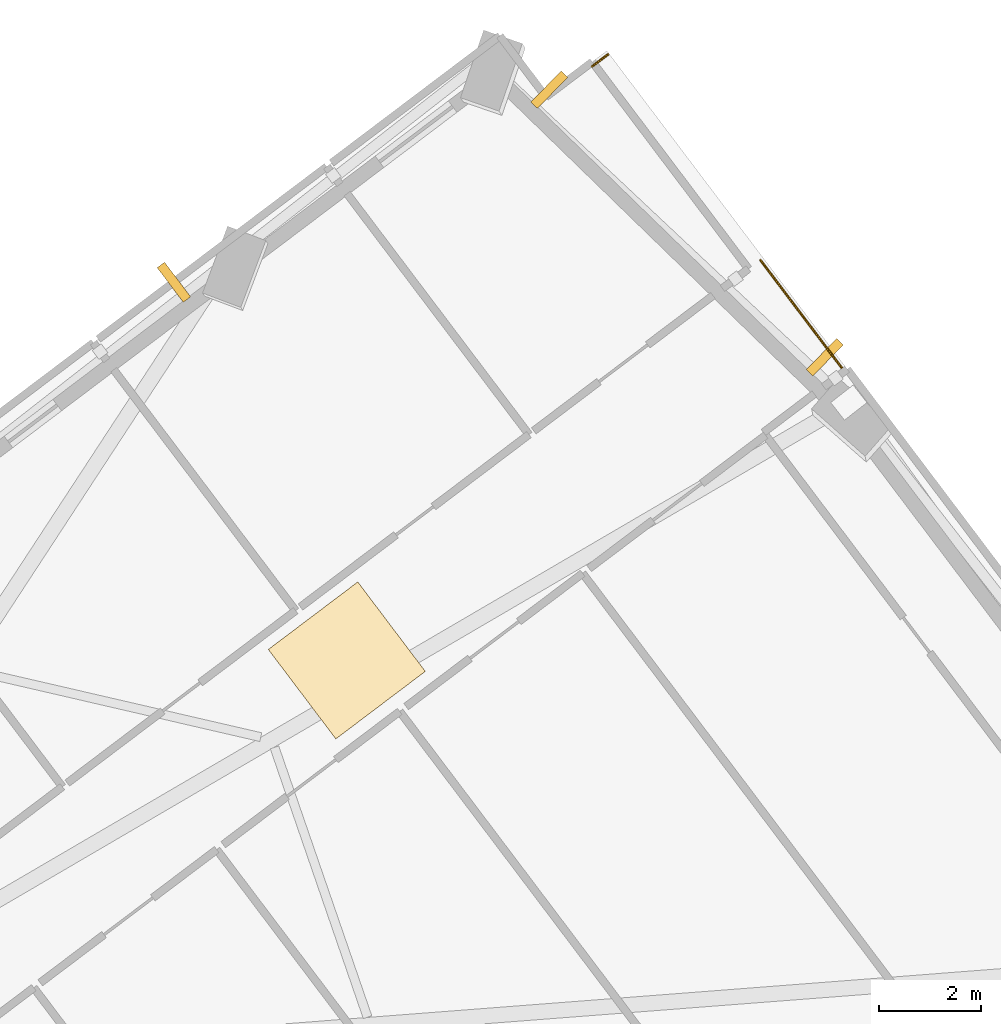
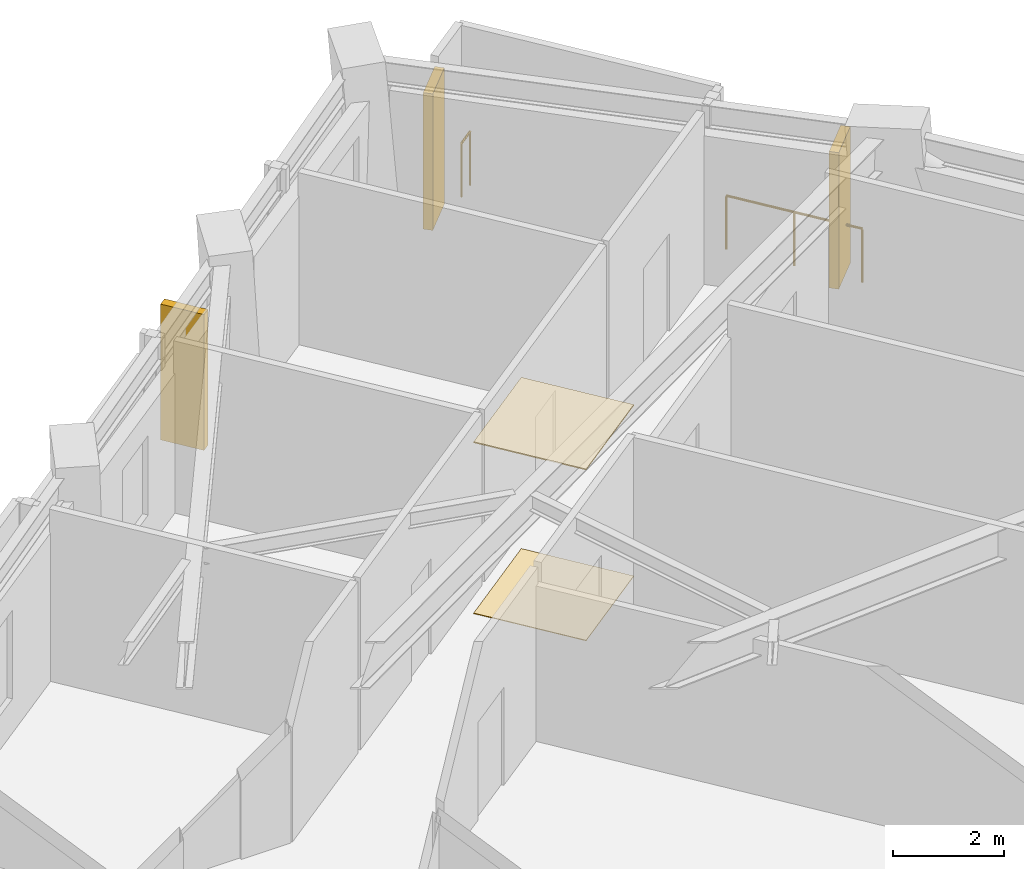
# One storey, part 15 of 15: 3 shading devices, 2 coverings, 2 railings.
"""IFC4 building model written with IfcOpenShell, lengths in metres."""

import ifcopenshell
import ifcopenshell.guid

model = None  # the IFC model being written
_history = None  # IfcOwnerHistory: only IFC2X3 demands one
_inside = {}  # id of a spatial element -> (the spatial element, [elements in it])
_under = {}  # id of a project, library or spatial element -> (it, [spatial elements below it])
_declared = {}  # id of a project -> (the project, [libraries it declares])
_typed = {}  # id of a type object -> (the type object, [elements of that type])
_made_of = {}  # id of a material, layer set ... -> (it, [elements and type objects made of it])


def new_model(schema):
    """Start an empty IFC model of exactly this schema.

    Asked for "IFC4X3", IfcOpenShell would pick the latest addendum, in which some entities
    have other attributes; the version numbers below select the first issue.
    IFC2X3 requires an IfcOwnerHistory on every rooted entity: one is made here for all.
    """
    global model, _history
    if schema == "IFC4X3":
        model = ifcopenshell.file(schema_version=(4, 3, 0, 0))
    else:
        model = ifcopenshell.file(schema=schema)
    _inside.clear()
    _under.clear()
    _declared.clear()
    _typed.clear()
    _made_of.clear()
    _history = None
    if model.schema == "IFC2X3":
        org = make("IfcOrganization", Name="unknown")
        user = make(
            "IfcPersonAndOrganization",
            ThePerson=make("IfcPerson", FamilyName="unknown"),
            TheOrganization=org,
        )
        app = make(
            "IfcApplication",
            ApplicationDeveloper=org,
            Version="unknown",
            ApplicationFullName="unknown",
            ApplicationIdentifier="unknown",
        )
        _history = make(
            "IfcOwnerHistory",
            OwningUser=user,
            OwningApplication=app,
            ChangeAction="ADDED",
            CreationDate=0,
        )
    return model


def make(cls, **values):
    """One entity of the class cls with the attributes given. An attribute that is None is left unset."""
    return model.create_entity(
        cls, **{name: value for name, value in values.items() if value is not None}
    )


def rooted(cls, **values):
    """An entity with a GlobalId (a new one), such as an element, a storey or a relation."""
    return make(cls, GlobalId=ifcopenshell.guid.new(), OwnerHistory=_history, **values)


def si_unit(unit_type, name, prefix=None):
    """IfcSIUnit, for example si_unit("LENGTHUNIT", "METRE", prefix="MILLI")."""
    return make("IfcSIUnit", UnitType=unit_type, Prefix=prefix, Name=name)


def assignment(units):
    """IfcUnitAssignment: the units of a project."""
    return None if units is None else make("IfcUnitAssignment", Units=units)


def point(xyz):
    """IfcCartesianPoint."""
    return None if xyz is None else make("IfcCartesianPoint", Coordinates=xyz)


def direction(xyz):
    """IfcDirection."""
    return None if xyz is None else make("IfcDirection", DirectionRatios=xyz)


def frame(location, z_axis=None, x_axis=None):
    """IfcAxis2Placement3D, a coordinate frame: its origin and axes. An axis left out is left unset."""
    return make(
        "IfcAxis2Placement3D",
        Location=point(location),
        Axis=direction(z_axis),
        RefDirection=direction(x_axis),
    )


def frame_2d(location, x_axis=None):
    """IfcAxis2Placement2D, a coordinate frame in the plane: its origin and x axis."""
    return make(
        "IfcAxis2Placement2D", Location=point(location), RefDirection=direction(x_axis)
    )


def origin():
    """The frame at (0, 0, 0) with its axes left unset."""
    return frame((0.0, 0.0, 0.0))


def origin_2d():
    """The frame at (0, 0) in the plane with its x axis left unset."""
    return frame_2d((0.0, 0.0))


def place(relative_to, where):
    """IfcLocalPlacement: puts the frame where relative to a parent placement (None: the world)."""
    return make(
        "IfcLocalPlacement", PlacementRelTo=relative_to, RelativePlacement=where
    )


def context(
    kind, dimensions, precision=None, world=None, true_north=None, identifier=None
):
    """IfcGeometricRepresentationContext, for example the 3D "Model" context."""
    return make(
        "IfcGeometricRepresentationContext",
        ContextIdentifier=identifier,
        ContextType=kind,
        CoordinateSpaceDimension=dimensions,
        Precision=precision,
        WorldCoordinateSystem=world,
        TrueNorth=true_north,
    )


def subcontext(parent, identifier, kind, view, scale=None):
    """IfcGeometricRepresentationSubContext, for example "Body" below "Model"."""
    return make(
        "IfcGeometricRepresentationSubContext",
        ContextIdentifier=identifier,
        ContextType=kind,
        ParentContext=parent,
        TargetScale=scale,
        TargetView=view,
    )


def project(units=None, contexts=None):
    """IfcProject with its units and contexts."""
    return rooted(
        "IfcProject",
        Name="project",
        RepresentationContexts=contexts,
        UnitsInContext=assignment(units),
    )


def spatial(cls, under=None, at=None, **own):
    """A site, building, storey or space (cls), placed at a placement, below another one or the project."""
    s = rooted(cls, ObjectPlacement=at, **own)
    if under is not None:
        _under.setdefault(under.id(), (under, []))[1].append(s)
    return s


def profile(cls, at=None, kind="AREA", **sizes):
    """A parametric profile (cls). Its sizes go by their IFC names, for example OverallWidth=200.0."""
    return make(cls, ProfileType=kind, Position=at, **sizes)


def rectangle(**sizes):
    """IfcRectangleProfileDef."""
    return profile("IfcRectangleProfileDef", **sizes)


def circle(**sizes):
    """IfcCircleProfileDef."""
    return profile("IfcCircleProfileDef", **sizes)


def extrude(swept, where, along, depth):
    """IfcExtrudedAreaSolid: the profile swept, set in the frame where, extruded along a direction by depth."""
    return make(
        "IfcExtrudedAreaSolid",
        SweptArea=swept,
        Position=where,
        ExtrudedDirection=direction(along),
        Depth=depth,
    )


def shape(context_of_items, identifier, shape_type, items):
    """IfcShapeRepresentation: the items that make up one representation, for example the "Body"."""
    return make(
        "IfcShapeRepresentation",
        ContextOfItems=context_of_items,
        RepresentationIdentifier=identifier,
        RepresentationType=shape_type,
        Items=items,
    )


def material(Name=None, Category=None):
    """IfcMaterial."""
    return make("IfcMaterial", Name=Name, Category=Category)


def layer(
    of_material, thickness, ventilated=None, Name=None, Category=None, Priority=None
):
    """IfcMaterialLayer: one layer of a wall or slab, of a material (None: an air gap)."""
    return make(
        "IfcMaterialLayer",
        Material=of_material,
        LayerThickness=thickness,
        IsVentilated=ventilated,
        Name=Name,
        Category=Category,
        Priority=Priority,
    )


def layer_set(layers, Name=None):
    """IfcMaterialLayerSet."""
    return make("IfcMaterialLayerSet", MaterialLayers=layers, LayerSetName=Name)


def made_of(thing, what):
    """Note that an element or type object is made of a material, layer set ...; save() writes the relation."""
    if what is not None:
        _made_of.setdefault(what.id(), (what, []))[1].append(thing)
    return thing


def type_object(cls, material=None, **own):
    """A type object (cls), such as IfcWallType, which elements share."""
    return made_of(rooted(cls, **own), material)


def element(
    cls,
    number,
    at=None,
    inside=None,
    cuts=None,
    type_object=None,
    material=None,
    context=None,
    identifier="Body",
    shape_type=None,
    held_by="IfcProductDefinitionShape",
    body=None,
    shapes=None,
    **own,
):
    """One element of the class cls, such as IfcWall. Its Tag is "e" and its number.

    at: its placement. inside: the storey or other place that contains it. cuts: it is an
    opening in that element (IfcRelVoidsElement). A single representation is given by context,
    identifier, shape_type and body (its items); several are given by shapes. held_by: the class
    of the entity that holds the representations. save() writes the other relations.
    """
    e = rooted(cls, Tag="e%d" % number, ObjectPlacement=at, **own)
    if body is not None:
        shapes = [shape(context, identifier, shape_type, body)]
    if shapes is not None:
        e.Representation = make(held_by, Representations=shapes)
    if inside is not None:
        _inside.setdefault(inside.id(), (inside, []))[1].append(e)
    if cuts is not None:
        rooted(
            "IfcRelVoidsElement", RelatingBuildingElement=cuts, RelatedOpeningElement=e
        )
    if type_object is not None:
        _typed.setdefault(type_object.id(), (type_object, []))[1].append(e)
    return made_of(e, material)


def aggregate(whole, parts):
    """IfcRelAggregates: a whole, such as a stair, and the parts it consists of."""
    return rooted("IfcRelAggregates", RelatingObject=whole, RelatedObjects=parts)


def save(model, path):
    """Write the relations noted so far, then the file.

    IfcRelAggregates (storeys below a building ...), IfcRelContainedInSpatialStructure (elements
    in a storey), IfcRelDefinesByType, IfcRelAssociatesMaterial and IfcRelDeclares: one each for
    every whole, place, type object, material and project.
    """
    for whole, parts in _under.values():
        aggregate(whole, parts)
    for where, things in _inside.values():
        rooted(
            "IfcRelContainedInSpatialStructure",
            RelatedElements=things,
            RelatingStructure=where,
        )
    for kind, things in _typed.values():
        rooted("IfcRelDefinesByType", RelatedObjects=things, RelatingType=kind)
    for what, things in _made_of.values():
        rooted("IfcRelAssociatesMaterial", RelatedObjects=things, RelatingMaterial=what)
    for by, libraries in _declared.values():
        rooted("IfcRelDeclares", RelatingContext=by, RelatedDefinitions=libraries)
    model.write(path)


model = new_model("IFC4")

# Units and contexts
model_context = context("Model", 3, precision=1e-05, world=origin(), true_north=direction((0.0, 1.0)))
body_context = subcontext(model_context, "Body", "Model", "MODEL_VIEW")
ifc_project = project(units=[si_unit("LENGTHUNIT", "METRE"), si_unit("AREAUNIT", "SQUARE_METRE"), si_unit("VOLUMEUNIT", "CUBIC_METRE"), si_unit("PLANEANGLEUNIT", "RADIAN"), si_unit("MASSUNIT", "GRAM", prefix="KILO")], contexts=[model_context])

# Site, building, storey
site_placement = place(None, origin())
site = spatial("IfcSite", under=ifc_project, at=site_placement, CompositionType="ELEMENT")
building_placement = place(site_placement, origin())
building = spatial("IfcBuilding", under=site, at=building_placement, Name="Gaonmaruhae Medical Tower", CompositionType="ELEMENT")
storey_placement = place(building_placement, frame((0.0, 0.0, 181.800048828125)))
storey = spatial("IfcBuildingStorey", under=building, at=storey_placement, Name="L43", CompositionType="ELEMENT", Elevation=181.800048828125)

# Coverings
ifc_material_1 = material(Name="Acoustic mineral ceiling tile", Category="finish")
ifc_layer_1 = layer(ifc_material_1, 0.02490234375)
ifc_layer_set_1 = layer_set([ifc_layer_1], Name="Acoustic mineral ceiling tile")
covering_type_1 = type_object("IfcCoveringType", Name="CLG-01 Antimicrobial Acoustic Mineral Ceiling", PredefinedType="CEILING", material=ifc_layer_set_1)
covering_1_placement = place(storey_placement, frame((48.396728515625, 24.9755859375, 3.7548828125), z_axis=(0.0, 0.0, 1.0), x_axis=(0.798110023334, 0.602511734868, 0.0)))
element("IfcCovering", 1, at=covering_1_placement, inside=storey, type_object=covering_type_1, Name="L43 Clinical Corridor Acoustic Ceiling", PredefinedType="CEILING", context=body_context, shape_type="SweptSolid", body=[
    extrude(rectangle(XDim=2.199951171875, YDim=2.199951171875, at=origin_2d()), origin(), (0.0, 0.0, 1.0), 0.02490234375),
])
ifc_material_2 = material(Name="Seamless clinical vinyl flooring", Category="finish")
ifc_layer_2 = layer(ifc_material_2, 0.014892578125)
ifc_layer_set_2 = layer_set([ifc_layer_2], Name="Seamless clinical vinyl flooring")
covering_type_2 = type_object("IfcCoveringType", Name="FLR-01 Seamless Clinical Antistatic Vinyl Flooring", PredefinedType="FLOORING", material=ifc_layer_set_2)
covering_2_placement = place(storey_placement, frame((48.396728515625, 24.9755859375, 0.00048828125), z_axis=(0.0, 0.0, 1.0), x_axis=(0.798110023334, 0.602511734868, 0.0)))
element("IfcCovering", 2, at=covering_2_placement, inside=storey, type_object=covering_type_2, Name="L43 Clinical Corridor Vinyl Flooring", PredefinedType="FLOORING", context=body_context, shape_type="SweptSolid", body=[
    extrude(rectangle(XDim=2.199951171875, YDim=2.199951171875, at=origin_2d()), origin(), (0.0, 0.0, 1.0), 0.014892578125),
])

# Railings
ifc_material_3 = material(Name="Stainless steel 316L and laminated safety glass", Category="steel")
ifc_layer_3 = layer(ifc_material_3, 0.080078125)
ifc_layer_set_3 = layer_set([ifc_layer_3], Name="Stainless steel 316L and laminated safety glass")
railing_type = type_object("IfcRailingType", Name="GD-120 Outdoor Terrace Safety Glass & Steel Balustrade", PredefinedType="BALUSTRADE", material=ifc_layer_set_3)
railing_1_placement = place(storey_placement, frame((53.214111328125, 36.6376953125, 0.0)))
element("IfcRailing", 3, at=railing_1_placement, inside=storey, type_object=railing_type, Name="L43 Perimeter Slab Edge Safety Balustrade 01", PredefinedType="BALUSTRADE", context=body_context, shape_type="SweptSolid", body=[
    extrude(circle(Radius=0.02392578125, at=origin_2d()), frame((0.0, 0.0, 1.17578125), z_axis=(0.79805964014, 0.602578468566, 0.0), x_axis=(-0.602578468566, 0.79805964014, 0.0)), (0.0, 0.0, 1.0), 0.393310546875),
    extrude(circle(Radius=0.02099609375, at=origin_2d()), origin(), (0.0, 0.0, 1.0), 1.15185546875),
    extrude(circle(Radius=0.02099609375, at=origin_2d()), frame((0.31396484375, 0.237060546875, 0.0)), (0.0, 0.0, 1.0), 1.15185546875),
])
railing_2_placement = place(storey_placement, frame((56.51806640625, 32.831298828125, 0.0)))
element("IfcRailing", 4, at=railing_2_placement, inside=storey, type_object=railing_type, Name="L43 Perimeter Slab Edge Safety Balustrade 02", PredefinedType="BALUSTRADE", context=body_context, shape_type="SweptSolid", body=[
    extrude(circle(Radius=0.02392578125, at=origin_2d()), frame((0.0, 0.0, 1.17578125), z_axis=(0.6024642766, -0.798145848464, 0.0), x_axis=(0.798145848464, 0.6024642766, 0.0)), (0.0, 0.0, 1.0), 2.659912109375),
    extrude(circle(Radius=0.02099609375, at=origin_2d()), origin(), (0.0, 0.0, 1.0), 1.15185546875),
    extrude(circle(Radius=0.02099609375, at=origin_2d()), frame((0.80126953125, -1.0615234375, 0.0)), (0.0, 0.0, 1.0), 1.15185546875),
    extrude(circle(Radius=0.02099609375, at=origin_2d()), frame((1.6025390625, -2.123046875, 0.0)), (0.0, 0.0, 1.0), 1.15185546875),
])

# Shading devices
ifc_material_4 = material(Name="Pigmented coral precast concrete C45/55", Category="concrete")
shading_device_type = type_object("IfcShadingDeviceType", Name="SD-FIN1 Tower Vertical Coral Precast Shading Fin", PredefinedType="USERDEFINED", material=ifc_material_4)
for number, where, z_axis, x_axis, name in (
    (5, (52.37109375, 36.1787109375, 0.132568359375), (0.0, 0.0, 1.0), (0.717409304942, -0.69665191393, 0.0), "L43 Vertical Coral Precast Shading Fin E02"),
    (6, (57.77880859375, 30.927490234375, 0.132568359375), (0.0, 0.0, 1.0), (0.717409304942, -0.69665191393, 0.0), "L43 Vertical Coral Precast Shading Fin E02B"),
):
    element("IfcShadingDevice", number, at=place(storey_placement, frame(where, z_axis=z_axis, x_axis=x_axis)), inside=storey, type_object=shading_device_type, Name=name, ObjectType="FIN", PredefinedType="USERDEFINED", context=body_context, shape_type="SweptSolid", body=[
        extrude(rectangle(XDim=0.179931640625, YDim=0.85009765625, at=origin_2d()), origin(), (0.0, 0.0, 1.0), 3.0),
    ])
shading_device_placement = place(storey_placement, frame((45.002685546875, 32.3994140625, 0.0400390625), z_axis=(0.0, 0.0, 1.0), x_axis=(0.798099507399, 0.602525664424, 0.0)))
element("IfcShadingDevice", 7, at=shading_device_placement, inside=storey, type_object=shading_device_type, Name="L43 Vertical Coral Precast Shading Fin EN01B", ObjectType="FIN", PredefinedType="USERDEFINED", context=body_context, shape_type="SweptSolid", body=[
    extrude(rectangle(XDim=0.179931640625, YDim=0.85009765625, at=origin_2d()), origin(), (0.0, 0.0, 1.0), 2.985107421875),
])

save(model, "model.ifc")
